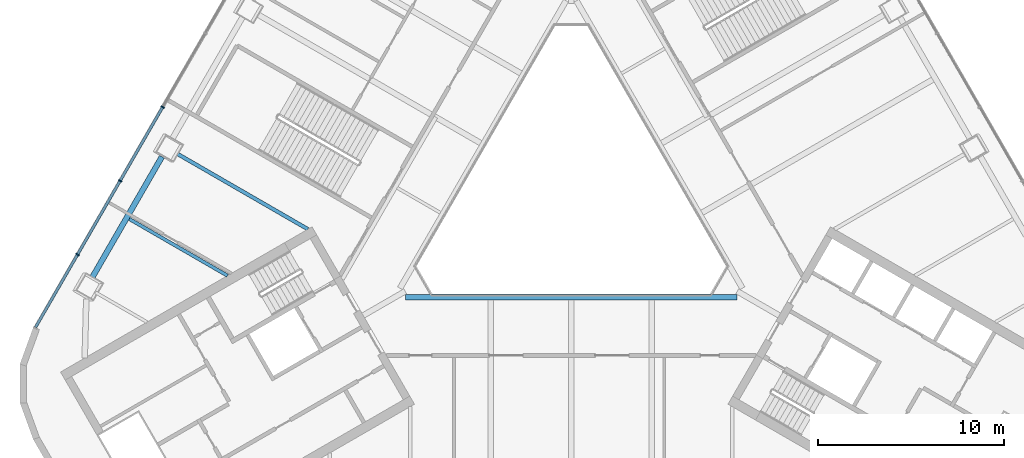
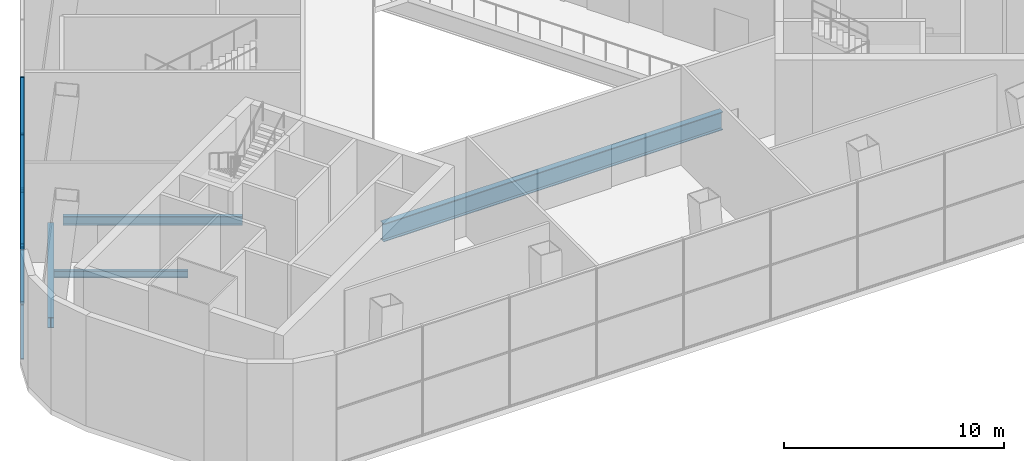
# One storey, part 3 of 17: 12 members, 4 beams, 1 element without a shape of its own.
"""IFC4 building model written with IfcOpenShell, lengths in metres."""

from ifc_helpers import new_model, si_unit, direction, frame, origin, origin_2d, place, context, subcontext, project, spatial, rectangle, i_section, extrude, material, layer, layer_set, material_profile, profile_set, type_object, element, aggregate, save


model = new_model("IFC4")

# Units and contexts
model_context = context("Model", 3, precision=1e-05, world=origin(), true_north=direction((0.0, 1.0)))
body_context = subcontext(model_context, "Body", "Model", "MODEL_VIEW")
ifc_project = project(units=[si_unit("LENGTHUNIT", "METRE"), si_unit("AREAUNIT", "SQUARE_METRE"), si_unit("VOLUMEUNIT", "CUBIC_METRE"), si_unit("PLANEANGLEUNIT", "RADIAN"), si_unit("MASSUNIT", "GRAM", prefix="KILO")], contexts=[model_context])

# Site, building, storey
site_placement = place(None, origin())
site = spatial("IfcSite", under=ifc_project, at=site_placement, CompositionType="ELEMENT")
building_placement = place(site_placement, origin())
building = spatial("IfcBuilding", under=site, at=building_placement, Name="Apuvela Tower Hotel", CompositionType="ELEMENT")
storey_placement = place(building_placement, frame((0.0, 0.0, 9.0)))
storey = spatial("IfcBuildingStorey", under=building, at=storey_placement, Name="L01", CompositionType="ELEMENT", Elevation=9.0)

# Curtain wall, members
ifc_material_1 = material(Name="Aluminium 6063-T6, dark bronze anodised", Category="aluminium")
ifc_layer = layer(ifc_material_1, 0.199951171875)
ifc_layer_set = layer_set([ifc_layer], Name="ENV-CW-P")
curtain_wall_type = type_object("IfcCurtainWallType", Name="ENV-CW-P", PredefinedType="NOTDEFINED", material=ifc_layer_set)
curtain_wall_placement = place(storey_placement, origin())
curtain_wall = element("IfcCurtainWall", 1, at=curtain_wall_placement, inside=storey, type_object=curtain_wall_type, Name="Curtain wall CW-P NW L01", PredefinedType="NOTDEFINED")
ifc_material_profile_1 = material_profile(ifc_material_1, rectangle(XDim=0.199951171875, YDim=0.06494140625, at=origin_2d()), Name="AL 65x200")
ifc_profile_set_1 = profile_set([ifc_material_profile_1], Name="Aluminium 6063-T6, dark bronze anodised")
member_type_1 = type_object("IfcMemberType", Name="ENV-MULLION-65x200", PredefinedType="MULLION", material=ifc_profile_set_1)
member_1_placement = place(storey_placement, frame((-21.9453125, 4.74609375, 0.0), z_axis=(0.0, 0.0, 1.0), x_axis=(0.866025428062, -0.49999995795, 0.0)))
member_1 = element("IfcMember", 2, at=member_1_placement, type_object=member_type_1, Name="CW-P mullion 7", PredefinedType="MULLION", context=body_context, shape_type="SweptSolid", body=[
    extrude(rectangle(XDim=0.199951171875, YDim=0.06494140625, at=origin_2d()), origin(), (0.0, 0.0, 1.0), 6.14990234375),
])
member_2_placement = place(storey_placement, frame((-24.23291015625, 0.783935546875, 0.0), z_axis=(0.0, 0.0, 1.0), x_axis=(0.866025428062, -0.49999995795, 0.0)))
member_2 = element("IfcMember", 3, at=member_2_placement, type_object=member_type_1, Name="CW-P mullion 8", PredefinedType="MULLION", context=body_context, shape_type="SweptSolid", body=[
    extrude(rectangle(XDim=0.199951171875, YDim=0.06494140625, at=origin_2d()), origin(), (0.0, 0.0, 1.0), 6.14990234375),
])
member_3_placement = place(storey_placement, frame((-26.5205078125, -3.177978515625, 0.0), z_axis=(0.0, 0.0, 1.0), x_axis=(0.866025428062, -0.49999995795, 0.0)))
member_3 = element("IfcMember", 4, at=member_3_placement, type_object=member_type_1, Name="CW-P mullion 9", PredefinedType="MULLION", context=body_context, shape_type="SweptSolid", body=[
    extrude(rectangle(XDim=0.199951171875, YDim=0.06494140625, at=origin_2d()), origin(), (0.0, 0.0, 1.0), 6.14990234375),
])
ifc_material_profile_2 = material_profile(ifc_material_1, rectangle(XDim=0.14990234375, YDim=0.06494140625, at=origin_2d()), Name="AL 65x150 transom")
ifc_profile_set_2 = profile_set([ifc_material_profile_2], Name="Aluminium 6063-T6, dark bronze anodised")
member_type_2 = type_object("IfcMemberType", Name="ENV-TRANSOM-65x150", PredefinedType="USERDEFINED", material=ifc_profile_set_2)
member_4_placement = place(storey_placement, frame((-21.961669921875, 4.718017578125, 0.032470703125), z_axis=(-0.499981745636, -0.86603594269, 0.0), x_axis=(0.86603594269, -0.499981745636, 0.0)))
member_4 = element("IfcMember", 5, at=member_4_placement, type_object=member_type_2, Name="CW-P transom 7.1", ObjectType="TRANSOM", PredefinedType="USERDEFINED", context=body_context, shape_type="SweptSolid", body=[
    extrude(rectangle(XDim=0.14990234375, YDim=0.06494140625, at=origin_2d()), origin(), (0.0, 0.0, 1.0), 4.510009765625),
])
member_5_placement = place(storey_placement, frame((-21.961669921875, 4.718017578125, 3.074951171875), z_axis=(-0.499981745636, -0.86603594269, 0.0), x_axis=(0.86603594269, -0.499981745636, 0.0)))
member_5 = element("IfcMember", 6, at=member_5_placement, type_object=member_type_2, Name="CW-P transom 7.2", ObjectType="TRANSOM", PredefinedType="USERDEFINED", context=body_context, shape_type="SweptSolid", body=[
    extrude(rectangle(XDim=0.14990234375, YDim=0.06494140625, at=origin_2d()), origin(), (0.0, 0.0, 1.0), 4.510009765625),
])
member_6_placement = place(storey_placement, frame((-21.961669921875, 4.718017578125, 6.117431640625), z_axis=(-0.499981745636, -0.86603594269, 0.0), x_axis=(0.86603594269, -0.499981745636, 0.0)))
member_6 = element("IfcMember", 7, at=member_6_placement, type_object=member_type_2, Name="CW-P transom 7.3", ObjectType="TRANSOM", PredefinedType="USERDEFINED", context=body_context, shape_type="SweptSolid", body=[
    extrude(rectangle(XDim=0.14990234375, YDim=0.06494140625, at=origin_2d()), origin(), (0.0, 0.0, 1.0), 4.510009765625),
])
member_7_placement = place(storey_placement, frame((-24.249267578125, 0.755859375, 0.032470703125), z_axis=(-0.499981745636, -0.86603594269, 0.0), x_axis=(0.86603594269, -0.499981745636, 0.0)))
member_7 = element("IfcMember", 8, at=member_7_placement, type_object=member_type_2, Name="CW-P transom 8.1", ObjectType="TRANSOM", PredefinedType="USERDEFINED", context=body_context, shape_type="SweptSolid", body=[
    extrude(rectangle(XDim=0.14990234375, YDim=0.06494140625, at=origin_2d()), origin(), (0.0, 0.0, 1.0), 4.510009765625),
])
member_8_placement = place(storey_placement, frame((-24.249267578125, 0.755859375, 3.074951171875), z_axis=(-0.499981745636, -0.86603594269, 0.0), x_axis=(0.86603594269, -0.499981745636, 0.0)))
member_8 = element("IfcMember", 9, at=member_8_placement, type_object=member_type_2, Name="CW-P transom 8.2", ObjectType="TRANSOM", PredefinedType="USERDEFINED", context=body_context, shape_type="SweptSolid", body=[
    extrude(rectangle(XDim=0.14990234375, YDim=0.06494140625, at=origin_2d()), origin(), (0.0, 0.0, 1.0), 4.510009765625),
])
member_9_placement = place(storey_placement, frame((-24.249267578125, 0.755859375, 6.117431640625), z_axis=(-0.499981745636, -0.86603594269, 0.0), x_axis=(0.86603594269, -0.499981745636, 0.0)))
member_9 = element("IfcMember", 10, at=member_9_placement, type_object=member_type_2, Name="CW-P transom 8.3", ObjectType="TRANSOM", PredefinedType="USERDEFINED", context=body_context, shape_type="SweptSolid", body=[
    extrude(rectangle(XDim=0.14990234375, YDim=0.06494140625, at=origin_2d()), origin(), (0.0, 0.0, 1.0), 4.510009765625),
])
member_10_placement = place(storey_placement, frame((-26.53662109375, -3.206298828125, 0.032470703125), z_axis=(-0.500021389451, -0.866013054227, 0.0), x_axis=(0.866013054227, -0.500021389451, 0.0)))
member_10 = element("IfcMember", 11, at=member_10_placement, type_object=member_type_2, Name="CW-P transom 9.1", ObjectType="TRANSOM", PredefinedType="USERDEFINED", context=body_context, shape_type="SweptSolid", body=[
    extrude(rectangle(XDim=0.14990234375, YDim=0.06494140625, at=origin_2d()), origin(), (0.0, 0.0, 1.0), 4.477294921875),
])
member_11_placement = place(storey_placement, frame((-26.53662109375, -3.206298828125, 3.074951171875), z_axis=(-0.500021389451, -0.866013054227, 0.0), x_axis=(0.866013054227, -0.500021389451, 0.0)))
member_11 = element("IfcMember", 12, at=member_11_placement, type_object=member_type_2, Name="CW-P transom 9.2", ObjectType="TRANSOM", PredefinedType="USERDEFINED", context=body_context, shape_type="SweptSolid", body=[
    extrude(rectangle(XDim=0.14990234375, YDim=0.06494140625, at=origin_2d()), origin(), (0.0, 0.0, 1.0), 4.477294921875),
])
member_12_placement = place(storey_placement, frame((-26.53662109375, -3.206298828125, 6.117431640625), z_axis=(-0.500021389451, -0.866013054227, 0.0), x_axis=(0.866013054227, -0.500021389451, 0.0)))
member_12 = element("IfcMember", 13, at=member_12_placement, type_object=member_type_2, Name="CW-P transom 9.3", ObjectType="TRANSOM", PredefinedType="USERDEFINED", context=body_context, shape_type="SweptSolid", body=[
    extrude(rectangle(XDim=0.14990234375, YDim=0.06494140625, at=origin_2d()), origin(), (0.0, 0.0, 1.0), 4.477294921875),
])
aggregate(curtain_wall, [member_1, member_2, member_3, member_4, member_5, member_6, member_7, member_8, member_9, member_10, member_11, member_12])

# Beams
ifc_material_2 = material(Name="Steel S355", Category="steel")
ifc_material_profile_3 = material_profile(ifc_material_2, i_section(OverallWidth=0.179931640625, OverallDepth=0.39990234375, WebThickness=0.008544921875, FlangeThickness=0.013427734375, at=origin_2d()), Name="IPE 400")
ifc_profile_set_3 = profile_set([ifc_material_profile_3], Name="Steel S355")
beam_type_1 = type_object("IfcBeamType", Name="STR-B floor beam IPE 400", PredefinedType="BEAM", material=ifc_profile_set_3)
beam_1_placement = place(storey_placement, frame((-23.7412109375, -1.264404296875, -0.5), z_axis=(0.866014723935, -0.500018497585, 0.0), x_axis=(0.500018497585, 0.866014723935, 0.0)))
element("IfcBeam", 14, at=beam_1_placement, inside=storey, type_object=beam_type_1, Name="Floor beam B2 NW8", PredefinedType="BEAM", context=body_context, shape_type="SweptSolid", body=[
    extrude(i_section(OverallWidth=0.179931640625, OverallDepth=0.39990234375, WebThickness=0.008544921875, FlangeThickness=0.013427734375, at=origin_2d()), origin(), (0.0, 0.0, 1.0), 6.091552734375),
])
ifc_material_profile_4 = material_profile(ifc_material_2, i_section(OverallWidth=0.199951171875, OverallDepth=0.5, WebThickness=0.01025390625, FlangeThickness=0.01611328125, at=origin_2d()), Name="IPE 500")
ifc_profile_set_4 = profile_set([ifc_material_profile_4], Name="Steel S355")
beam_type_2 = type_object("IfcBeamType", Name="STR-B floor beam IPE 500", PredefinedType="BEAM", material=ifc_profile_set_4)
beam_2_placement = place(storey_placement, frame((-21.23388671875, 2.2783203125, -0.550048828125), z_axis=(0.86602319786, -0.500003820754, 0.0), x_axis=(0.500003820754, 0.86602319786, 0.0)))
element("IfcBeam", 15, at=beam_2_placement, inside=storey, type_object=beam_type_2, Name="Floor beam B3 NW7", PredefinedType="BEAM", context=body_context, shape_type="SweptSolid", body=[
    extrude(i_section(OverallWidth=0.199951171875, OverallDepth=0.5, WebThickness=0.01025390625, FlangeThickness=0.01611328125, at=origin_2d()), origin(), (0.0, 0.0, 1.0), 8.18701171875),
])
ifc_material_profile_5 = material_profile(ifc_material_2, i_section(OverallWidth=0.302001953125, OverallDepth=1.008056640625, WebThickness=0.02099609375, FlangeThickness=0.0400390625, at=origin_2d()), Name="HE 1000 M")
ifc_profile_set_5 = profile_set([ifc_material_profile_5], Name="Steel S355")
beam_type_3 = type_object("IfcBeamType", Name="STR-G atrium ring girder HE 1000 M", PredefinedType="BEAM", material=ifc_profile_set_5)
beam_3_placement = place(storey_placement, frame((-8.91455078125, -5.470947265625, -0.803955078125), z_axis=(1.0, 0.0, 0.0), x_axis=(0.0, 1.0, 0.0)))
element("IfcBeam", 16, at=beam_3_placement, inside=storey, type_object=beam_type_3, Name="Atrium ring girder G1 SW-SE", PredefinedType="BEAM", context=body_context, shape_type="SweptSolid", body=[
    extrude(i_section(OverallWidth=0.302001953125, OverallDepth=1.008056640625, WebThickness=0.02099609375, FlangeThickness=0.0400390625, at=origin_2d()), origin(), (0.0, 0.0, 1.0), 17.8291015625),
])
ifc_material_profile_6 = material_profile(ifc_material_2, i_section(OverallWidth=0.300048828125, OverallDepth=0.60009765625, WebThickness=0.015380859375, FlangeThickness=0.030029296875, at=origin_2d()), Name="HE 600 B")
ifc_profile_set_6 = profile_set([ifc_material_profile_6], Name="Steel S355")
beam_type_4 = type_object("IfcBeamType", Name="STR-SB spandrel beam HE 600 B", PredefinedType="SPANDREL", material=ifc_profile_set_6)
beam_4_placement = place(storey_placement, frame((-21.9853515625, 2.0771484375, -0.60009765625), z_axis=(-0.499978319683, -0.866037920559, 0.0), x_axis=(0.866037920559, -0.499978319683, 0.0)))
element("IfcBeam", 17, at=beam_4_placement, inside=storey, type_object=beam_type_4, Name="Spandrel beam SB1 NW4", PredefinedType="SPANDREL", context=body_context, shape_type="SweptSolid", body=[
    extrude(i_section(OverallWidth=0.300048828125, OverallDepth=0.60009765625, WebThickness=0.015380859375, FlangeThickness=0.030029296875, at=origin_2d()), origin(), (0.0, 0.0, 1.0), 7.543701171875),
])

save(model, "model.ifc")
